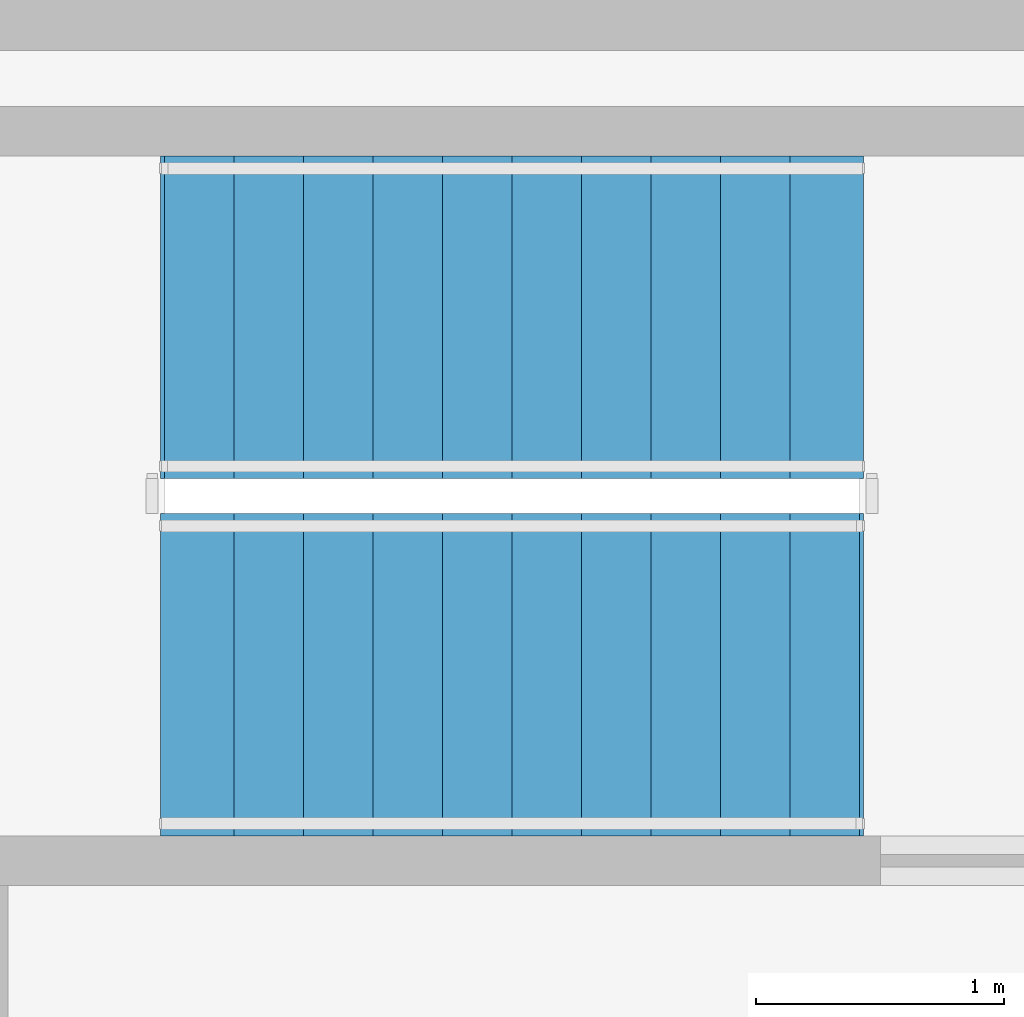
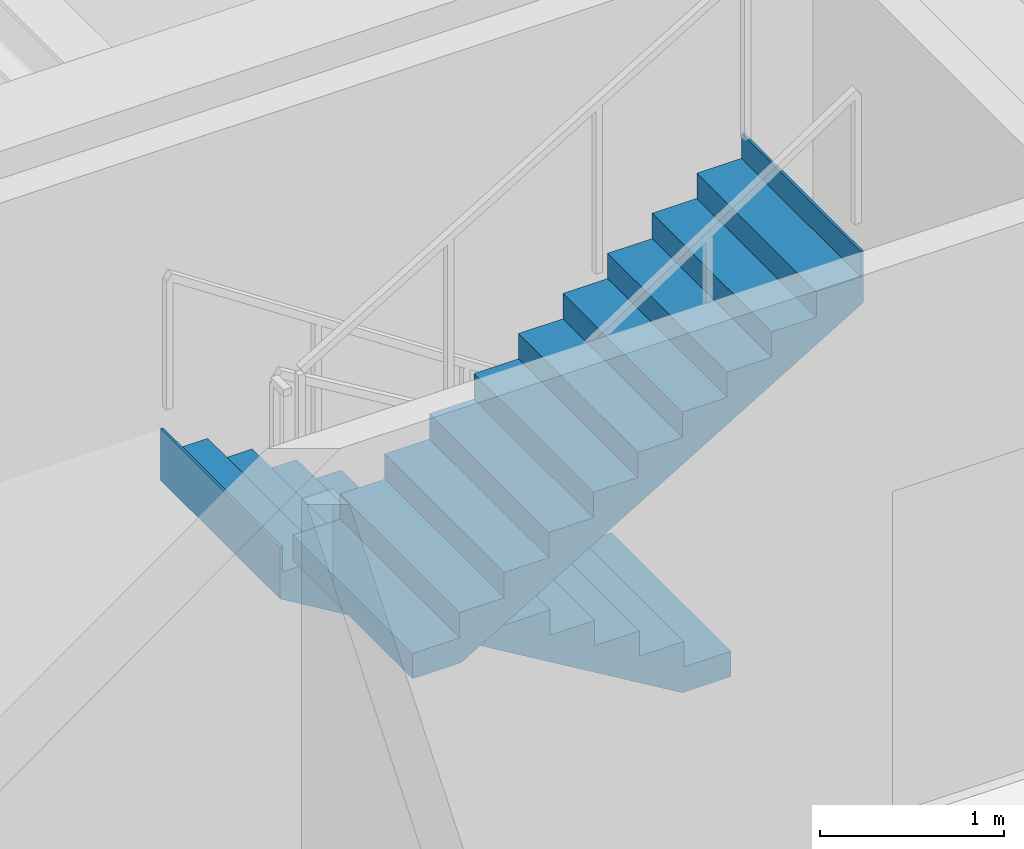
# One storey, part 16 of 20: 2 stair flights, 1 element without a shape of its own.
"""IFC4 building model written with IfcOpenShell, lengths in metres."""

from ifc_helpers import new_model, si_unit, derived_unit, direction, frame, origin, place, context, subcontext, project, spatial, polyline, outline, extrude, source, transform, mapped, material, layer, layer_set, type_object, element, aggregate, save


model = new_model("IFC4")

# Units and contexts
model_context = context("Model", 3, precision=1e-05, world=origin(), true_north=direction((0.0, 1.0)))
body_context = subcontext(model_context, "Body", "Model", "MODEL_VIEW")
ifc_project = project(units=[si_unit("LENGTHUNIT", "METRE"), si_unit("AREAUNIT", "SQUARE_METRE"), si_unit("VOLUMEUNIT", "CUBIC_METRE"), si_unit("PLANEANGLEUNIT", "RADIAN"), si_unit("MASSUNIT", "GRAM", prefix="KILO"), si_unit("THERMODYNAMICTEMPERATUREUNIT", "KELVIN"), si_unit("POWERUNIT", "WATT"), derived_unit("THERMALTRANSMITTANCEUNIT", [(si_unit("POWERUNIT", "WATT"), 1), (si_unit("AREAUNIT", "SQUARE_METRE"), -1), (si_unit("THERMODYNAMICTEMPERATUREUNIT", "KELVIN"), -1)])], contexts=[model_context])

# Site, building, storey
site_placement = place(None, origin())
site = spatial("IfcSite", under=ifc_project, at=site_placement, CompositionType="ELEMENT")
building_placement = place(site_placement, origin())
building = spatial("IfcBuilding", under=site, at=building_placement, Name="Zahravan Archway Hotel and Residences", CompositionType="ELEMENT")
storey_placement = place(building_placement, frame((0.0, 0.0, 137.699951171875)))
storey = spatial("IfcBuildingStorey", under=building, at=storey_placement, Name="L34", CompositionType="ELEMENT", Elevation=137.699951171875)

# Stair, stair flights
ifc_material = material(Name="Concrete C50/60", Category="concrete")
stair_type = type_object("IfcStairType", Name="STR-CORE-1300", PredefinedType="HALF_TURN_STAIR", material=ifc_material)
stair_placement = place(storey_placement, origin())
stair = element("IfcStair", 1, at=stair_placement, inside=storey, type_object=stair_type, Name="L34 Core B Exit Stair 2", PredefinedType="HALF_TURN_STAIR")
ifc_layer = layer(ifc_material, 0.199951171875, Name="Concrete C50/60", Category="concrete")
ifc_layer_set = layer_set([ifc_layer], Name="Concrete C50/60")
stair_flight_type = type_object("IfcStairFlightType", Name="SFL-CORE-1300", PredefinedType="STRAIGHT", material=ifc_layer_set)
shared_shape = source(origin(), body_context, "Body", "SweptSolid", [
    extrude(outline(polyline([(-0.01611328125, 0.0), (-0.01611328125, 0.168212890625), (0.280029296875, 0.168212890625), (0.280029296875, 0.33642578125), (0.56005859375, 0.33642578125), (0.56005859375, 0.504638671875), (0.840087890625, 0.504638671875), (0.840087890625, 0.672607421875), (1.1201171875, 0.672607421875), (1.1201171875, 0.8408203125), (1.39990234375, 0.8408203125), (1.39990234375, 1.009033203125), (1.679931640625, 1.009033203125), (1.679931640625, 1.17724609375), (1.9599609375, 1.17724609375), (1.9599609375, 1.345458984375), (2.239990234375, 1.345458984375), (2.239990234375, 1.513671875), (2.52001953125, 1.513671875), (2.52001953125, 1.681884765625), (2.800048828125, 1.681884765625), (2.800048828125, 1.85009765625), (2.816162109375, 1.85009765625), (2.816162109375, 1.5068359375), (0.291015625, 0.0), (-0.01611328125, 0.0)])), frame((0.0, 0.64990234375, 0.0), z_axis=(0.0, -1.0, 0.0), x_axis=(1.0, 0.0, 0.0)), (0.0, 0.0, 1.0), 1.300048828125),
])
stair_flight_1_placement = place(storey_placement, frame((9.72998046875, 38.25, 0.0), z_axis=(0.0, 0.0, 1.0), x_axis=(-1.0, 0.0, 0.0)))
stair_flight_1 = element("IfcStairFlight", 2, at=stair_flight_1_placement, type_object=stair_flight_type, Name="ST-B2 flight 1", NumberOfRisers=11, NumberOfTreads=10, PredefinedType="STRAIGHT", RiserHeight=0.168181818, TreadLength=0.28, context=body_context, shape_type="MappedRepresentation", body=[
    mapped(shared_shape, transform((0.0, 0.0, 0.0), scale=1.0)),
])
stair_flight_2_placement = place(storey_placement, frame((6.929931640625, 36.81005859375, 1.85009765625), z_axis=(0.0, 0.0, 1.0), x_axis=(1.0, 0.0, 0.0)))
stair_flight_2 = element("IfcStairFlight", 3, at=stair_flight_2_placement, type_object=stair_flight_type, Name="ST-B2 flight 2", NumberOfRisers=11, NumberOfTreads=10, PredefinedType="STRAIGHT", RiserHeight=0.168181818, TreadLength=0.28, context=body_context, shape_type="MappedRepresentation", body=[
    mapped(shared_shape, transform((0.0, 0.0, 0.0), scale=1.0)),
])
aggregate(stair, [stair_flight_1, stair_flight_2])

save(model, "model.ifc")
